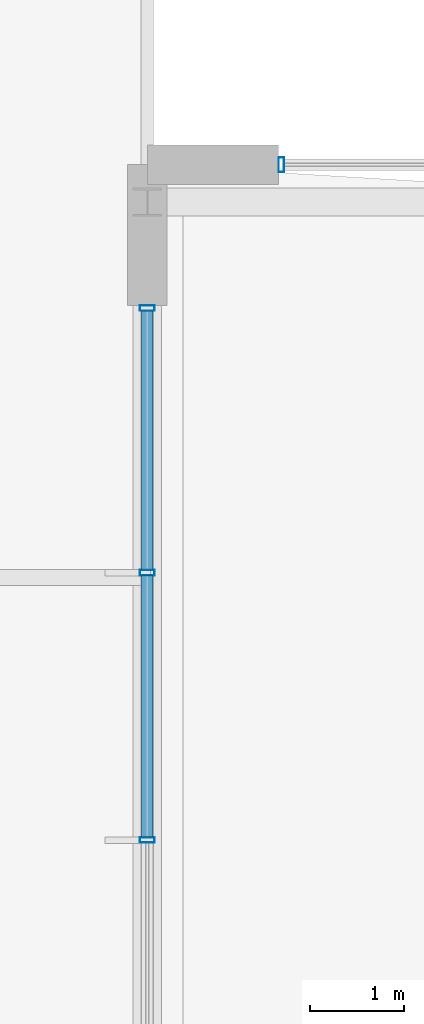
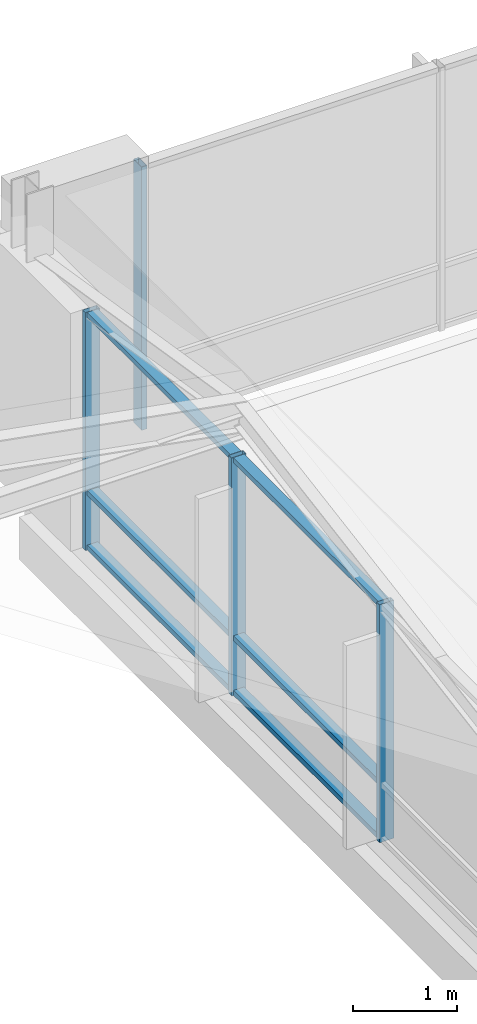
# One storey, part 45 of 189: 10 members, 2 elements without a shape of their own.
"""IFC4 building model written with IfcOpenShell, lengths in metres."""

from ifc_helpers import new_model, si_unit, direction, frame, origin, origin_2d, place, context, subcontext, project, spatial, hollow_rectangle, extrude, material, material_profile, profile_set, type_object, element, aggregate, save


model = new_model("IFC4")

# Units and contexts
model_context = context("Model", 3, precision=1e-05, world=origin(), true_north=direction((0.0, 1.0)))
body_context = subcontext(model_context, "Body", "Model", "MODEL_VIEW")
ifc_project = project(units=[si_unit("LENGTHUNIT", "METRE"), si_unit("AREAUNIT", "SQUARE_METRE"), si_unit("VOLUMEUNIT", "CUBIC_METRE"), si_unit("PLANEANGLEUNIT", "RADIAN"), si_unit("MASSUNIT", "GRAM", prefix="KILO")], contexts=[model_context])

# Site, building, storey
site_placement = place(None, origin())
site = spatial("IfcSite", under=ifc_project, at=site_placement, CompositionType="ELEMENT")
building_placement = place(site_placement, origin())
building = spatial("IfcBuilding", under=site, at=building_placement, Name="Zavelmont Quarter", CompositionType="ELEMENT")
storey_placement = place(building_placement, frame((0.0, 0.0, 4.39990234375)))
storey = spatial("IfcBuildingStorey", under=building, at=storey_placement, Name="L01", CompositionType="ELEMENT", Elevation=4.39990234375)

# Curtain wall, member
ifc_material_1 = material(Name="Thermally broken aluminium and double low-E safety glazing", Category="aluminium")
curtain_wall_type_1 = type_object("IfcCurtainWallType", Name="CW-1340X310", PredefinedType="NOTDEFINED", material=ifc_material_1)
curtain_wall_1_placement = place(storey_placement, origin())
curtain_wall_1 = element("IfcCurtainWall", 1, at=curtain_wall_1_placement, inside=storey, type_object=curtain_wall_type_1, Name="L01 unitised curtain wall CW-1340X310", PredefinedType="NOTDEFINED")
ifc_material_2 = material(Name="Powder-coated aluminium EN AW-6063-T6", Category="aluminium")
ifc_material_profile_1 = material_profile(ifc_material_2, hollow_rectangle(XDim=0.06005859375, YDim=0.159912109375, WallThickness=0.00390625, at=origin_2d()), Name="CWM60X160")
ifc_profile_set_1 = profile_set([ifc_material_profile_1], Name="Powder-coated aluminium EN AW-6063-T6")
member_type_1 = type_object("IfcMemberType", Name="CWM01", PredefinedType="MULLION", material=ifc_profile_set_1)
member_1_placement = place(storey_placement, frame((93.429931640625, 14.39990234375, 0.0), z_axis=(0.0, 0.0, 1.0), x_axis=(1.0, 0.0, 0.0)))
member_1 = element("IfcMember", 2, at=member_1_placement, type_object=member_type_1, Name="CW-1340X310 mullion 1", PredefinedType="MULLION", context=body_context, shape_type="SweptSolid", body=[
    extrude(hollow_rectangle(XDim=0.06005859375, YDim=0.159912109375, WallThickness=0.00390625, at=origin_2d()), origin(), (0.0, 0.0, 1.0), 3.10009765625),
])
aggregate(curtain_wall_1, [member_1])

# Curtain wall, members
curtain_wall_type_2 = type_object("IfcCurtainWallType", Name="CW-1140X280", PredefinedType="NOTDEFINED", material=ifc_material_1)
curtain_wall_2_placement = place(storey_placement, origin())
curtain_wall_2 = element("IfcCurtainWall", 3, at=curtain_wall_2_placement, inside=storey, type_object=curtain_wall_type_2, Name="L01 unitised curtain wall CW-1140X280", PredefinedType="NOTDEFINED")
member_2_placement = place(storey_placement, frame((92.0, 7.199951171875, 0.0), z_axis=(0.0, 0.0, 1.0), x_axis=(0.0, 1.0, 0.0)))
member_2 = element("IfcMember", 4, at=member_2_placement, type_object=member_type_1, Name="CW-1140X280 mullion 3", PredefinedType="MULLION", context=body_context, shape_type="SweptSolid", body=[
    extrude(hollow_rectangle(XDim=0.06005859375, YDim=0.159912109375, WallThickness=0.00390625, at=origin_2d()), origin(), (0.0, 0.0, 1.0), 2.800048828125),
])
member_3_placement = place(storey_placement, frame((92.0, 10.050048828125, 0.0), z_axis=(0.0, 0.0, 1.0), x_axis=(0.0, 1.0, 0.0)))
member_3 = element("IfcMember", 5, at=member_3_placement, type_object=member_type_1, Name="CW-1140X280 mullion 4", PredefinedType="MULLION", context=body_context, shape_type="SweptSolid", body=[
    extrude(hollow_rectangle(XDim=0.06005859375, YDim=0.159912109375, WallThickness=0.00390625, at=origin_2d()), origin(), (0.0, 0.0, 1.0), 2.800048828125),
])
member_4_placement = place(storey_placement, frame((92.0, 12.8701171875, 0.0), z_axis=(0.0, 0.0, 1.0), x_axis=(0.0, 1.0, 0.0)))
member_4 = element("IfcMember", 6, at=member_4_placement, type_object=member_type_1, Name="CW-1140X280 mullion 5", PredefinedType="MULLION", context=body_context, shape_type="SweptSolid", body=[
    extrude(hollow_rectangle(XDim=0.06005859375, YDim=0.159912109375, WallThickness=0.00390625, at=origin_2d()), origin(), (0.0, 0.0, 1.0), 2.800048828125),
])
ifc_material_profile_2 = material_profile(ifc_material_2, hollow_rectangle(XDim=0.1201171875, YDim=0.06005859375, WallThickness=0.00390625, at=origin_2d()), Name="CWT60X120")
ifc_profile_set_2 = profile_set([ifc_material_profile_2], Name="Powder-coated aluminium EN AW-6063-T6")
member_type_2 = type_object("IfcMemberType", Name="CWT01", PredefinedType="NOTDEFINED", material=ifc_profile_set_2)
member_5_placement = place(storey_placement, frame((92.0, 7.22998046875, 0.030029296875), z_axis=(0.0, 1.0, 0.0), x_axis=(-1.0, 0.0, 0.0)))
member_5 = element("IfcMember", 7, at=member_5_placement, type_object=member_type_2, Name="CW-1140X280 transom 3.1", ObjectType="TRANSOM", PredefinedType="USERDEFINED", context=body_context, shape_type="SweptSolid", body=[
    extrude(hollow_rectangle(XDim=0.1201171875, YDim=0.06005859375, WallThickness=0.00390625, at=origin_2d()), origin(), (0.0, 0.0, 1.0), 2.7900390625),
])
member_6_placement = place(storey_placement, frame((92.0, 7.22998046875, 0.672119140625), z_axis=(0.0, 1.0, 0.0), x_axis=(-1.0, 0.0, 0.0)))
member_6 = element("IfcMember", 8, at=member_6_placement, type_object=member_type_2, Name="CW-1140X280 transom 3.2", ObjectType="TRANSOM", PredefinedType="USERDEFINED", context=body_context, shape_type="SweptSolid", body=[
    extrude(hollow_rectangle(XDim=0.1201171875, YDim=0.06005859375, WallThickness=0.00390625, at=origin_2d()), origin(), (0.0, 0.0, 1.0), 2.7900390625),
])
member_7_placement = place(storey_placement, frame((92.0, 7.22998046875, 2.77001953125), z_axis=(0.0, 1.0, 0.0), x_axis=(-1.0, 0.0, 0.0)))
member_7 = element("IfcMember", 9, at=member_7_placement, type_object=member_type_2, Name="CW-1140X280 transom 3.3", ObjectType="TRANSOM", PredefinedType="USERDEFINED", context=body_context, shape_type="SweptSolid", body=[
    extrude(hollow_rectangle(XDim=0.1201171875, YDim=0.06005859375, WallThickness=0.00390625, at=origin_2d()), origin(), (0.0, 0.0, 1.0), 2.7900390625),
])
member_8_placement = place(storey_placement, frame((92.0, 10.080078125, 0.030029296875), z_axis=(0.0, 1.0, 0.0), x_axis=(-1.0, 0.0, 0.0)))
member_8 = element("IfcMember", 10, at=member_8_placement, type_object=member_type_2, Name="CW-1140X280 transom 4.1", ObjectType="TRANSOM", PredefinedType="USERDEFINED", context=body_context, shape_type="SweptSolid", body=[
    extrude(hollow_rectangle(XDim=0.1201171875, YDim=0.06005859375, WallThickness=0.00390625, at=origin_2d()), origin(), (0.0, 0.0, 1.0), 2.760009765625),
])
member_9_placement = place(storey_placement, frame((92.0, 10.080078125, 0.672119140625), z_axis=(0.0, 1.0, 0.0), x_axis=(-1.0, 0.0, 0.0)))
member_9 = element("IfcMember", 11, at=member_9_placement, type_object=member_type_2, Name="CW-1140X280 transom 4.2", ObjectType="TRANSOM", PredefinedType="USERDEFINED", context=body_context, shape_type="SweptSolid", body=[
    extrude(hollow_rectangle(XDim=0.1201171875, YDim=0.06005859375, WallThickness=0.00390625, at=origin_2d()), origin(), (0.0, 0.0, 1.0), 2.760009765625),
])
member_10_placement = place(storey_placement, frame((92.0, 10.080078125, 2.77001953125), z_axis=(0.0, 1.0, 0.0), x_axis=(-1.0, 0.0, 0.0)))
member_10 = element("IfcMember", 12, at=member_10_placement, type_object=member_type_2, Name="CW-1140X280 transom 4.3", ObjectType="TRANSOM", PredefinedType="USERDEFINED", context=body_context, shape_type="SweptSolid", body=[
    extrude(hollow_rectangle(XDim=0.1201171875, YDim=0.06005859375, WallThickness=0.00390625, at=origin_2d()), origin(), (0.0, 0.0, 1.0), 2.760009765625),
])
aggregate(curtain_wall_2, [member_2, member_3, member_4, member_5, member_6, member_7, member_8, member_9, member_10])

save(model, "model.ifc")
